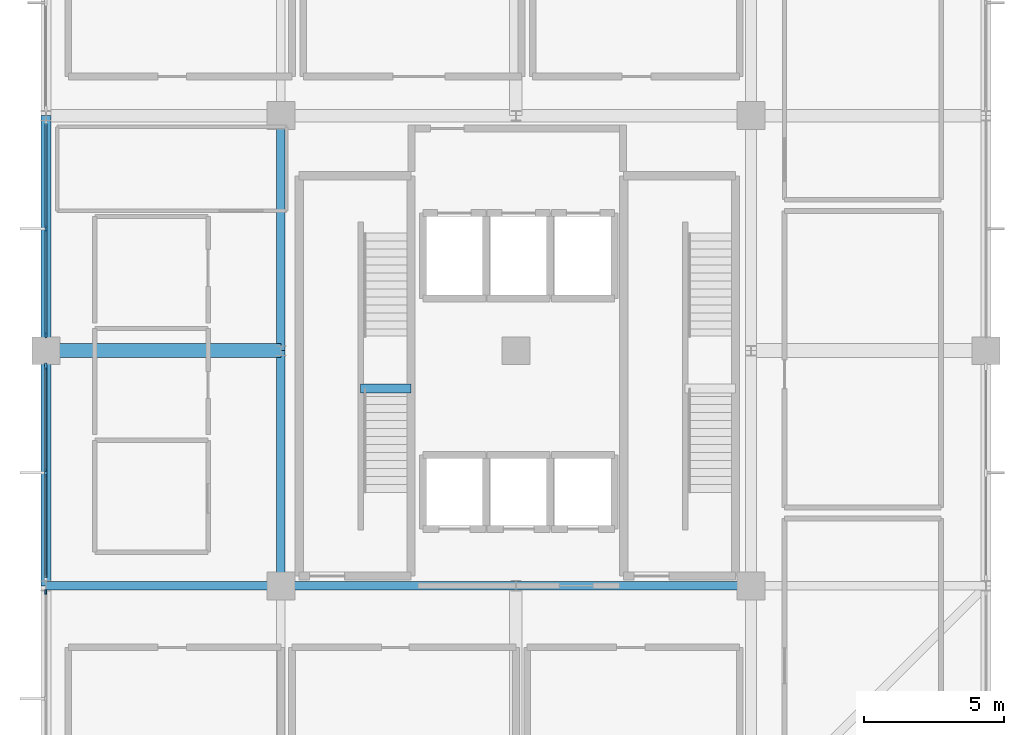
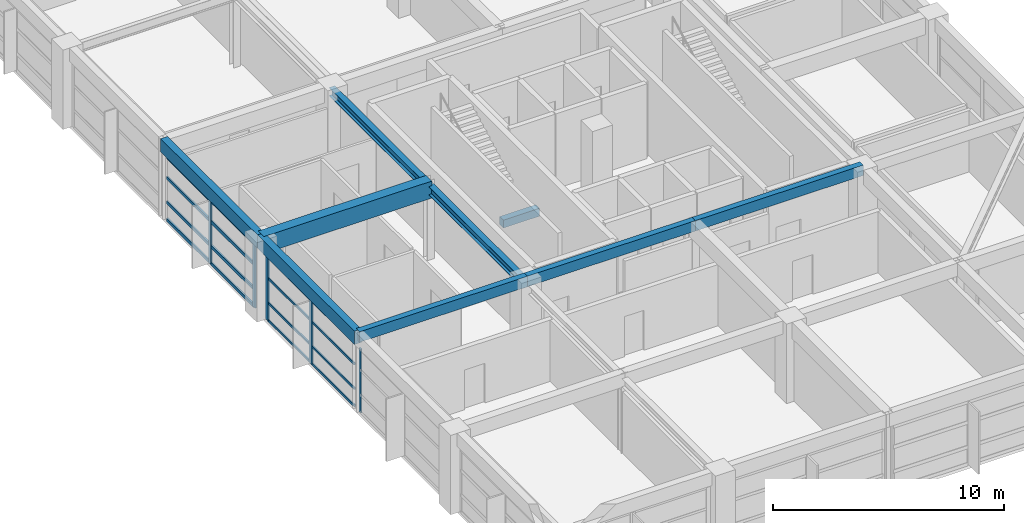
# One storey, part 5 of 15: 21 members, 9 beams, 3 elements without a shape of their own.
"""IFC4 building model written with IfcOpenShell, lengths in metres."""

from ifc_helpers import new_model, si_unit, direction, frame, origin, origin_2d, place, context, subcontext, project, spatial, rectangle, i_section, extrude, material, material_profile, profile_set, type_object, element, aggregate, save


model = new_model("IFC4")

# Units and contexts
model_context = context("Model", 3, precision=1e-05, world=origin(), true_north=direction((0.0, 1.0)))
body_context = subcontext(model_context, "Body", "Model", "MODEL_VIEW")
ifc_project = project(units=[si_unit("LENGTHUNIT", "METRE"), si_unit("AREAUNIT", "SQUARE_METRE"), si_unit("VOLUMEUNIT", "CUBIC_METRE"), si_unit("PLANEANGLEUNIT", "RADIAN"), si_unit("MASSUNIT", "GRAM", prefix="KILO")], contexts=[model_context])

# Site, building, storey
site_placement = place(None, origin())
site = spatial("IfcSite", under=ifc_project, at=site_placement, CompositionType="ELEMENT")
building_placement = place(site_placement, origin())
building = spatial("IfcBuilding", under=site, at=building_placement, Name="Xuanlan Plaza Opera House", CompositionType="ELEMENT")
storey_placement = place(building_placement, frame((0.0, 0.0, 53.10009765625)))
storey = spatial("IfcBuildingStorey", under=building, at=storey_placement, Name="L12", CompositionType="ELEMENT", Elevation=53.10009765625)

# Curtain wall, member
ifc_material_1 = material(Name="Anodised Aluminium 6063-T6 and Low-E Glass", Category="aluminium")
curtain_wall_type_1 = type_object("IfcCurtainWallType", Name="ENV-CW-CW-03", PredefinedType="USERDEFINED", material=ifc_material_1)
curtain_wall_1_placement = place(storey_placement, origin())
curtain_wall_1 = element("IfcCurtainWall", 1, at=curtain_wall_1_placement, inside=storey, type_object=curtain_wall_type_1, Name="Unitised Curtain Wall L12-017", ObjectType="UNITISED CURTAIN WALL", PredefinedType="USERDEFINED")
ifc_material_2 = material(Name="Anodised Aluminium 6063-T6", Category="aluminium")
ifc_material_profile_1 = material_profile(ifc_material_2, rectangle(XDim=0.06494140625, YDim=0.159912109375, at=origin_2d()), Name="ALU-M 65x160")
ifc_profile_set_1 = profile_set([ifc_material_profile_1], Name="Anodised Aluminium 6063-T6")
member_type_1 = type_object("IfcMemberType", Name="ENV-CWM-01", PredefinedType="MULLION", material=ifc_profile_set_1)
member_1_placement = place(storey_placement, frame((126.0, 50.172607421875, 0.0), z_axis=(0.0, 0.0, 1.0), x_axis=(1.0, 0.0, 0.0)))
member_1 = element("IfcMember", 2, at=member_1_placement, type_object=member_type_1, Name="CW-03 mullion 1", PredefinedType="MULLION", context=body_context, shape_type="SweptSolid", body=[
    extrude(rectangle(XDim=0.06494140625, YDim=0.159912109375, at=origin_2d()), origin(), (0.0, 0.0, 1.0), 3.3798828125),
])
aggregate(curtain_wall_1, [member_1])

# Curtain wall, members
curtain_wall_type_2 = type_object("IfcCurtainWallType", Name="ENV-CW-CW-01", PredefinedType="USERDEFINED", material=ifc_material_1)
curtain_wall_2_placement = place(storey_placement, origin())
curtain_wall_2 = element("IfcCurtainWall", 3, at=curtain_wall_2_placement, inside=storey, type_object=curtain_wall_type_2, Name="Unitised Curtain Wall L12-015", ObjectType="UNITISED CURTAIN WALL", PredefinedType="USERDEFINED")
ifc_material_profile_2 = material_profile(ifc_material_2, rectangle(XDim=0.080078125, YDim=0.219970703125, at=origin_2d()), Name="ALU-M 80x220")
ifc_profile_set_2 = profile_set([ifc_material_profile_2], Name="Anodised Aluminium 6063-T6")
member_type_2 = type_object("IfcMemberType", Name="ENV-CWM-04", PredefinedType="MULLION", material=ifc_profile_set_2)
member_2_placement = place(storey_placement, frame((126.0, 63.16259765625, 0.0), z_axis=(0.0, 0.0, 1.0), x_axis=(1.0, 0.0, 0.0)))
member_2 = element("IfcMember", 4, at=member_2_placement, type_object=member_type_2, Name="CW-01 mullion 2", PredefinedType="MULLION", context=body_context, shape_type="SweptSolid", body=[
    extrude(rectangle(XDim=0.080078125, YDim=0.219970703125, at=origin_2d()), origin(), (0.0, 0.0, 1.0), 3.3798828125),
])
member_3_placement = place(storey_placement, frame((126.0, 59.360107421875, 0.0), z_axis=(0.0, 0.0, 1.0), x_axis=(1.0, 0.0, 0.0)))
member_3 = element("IfcMember", 5, at=member_3_placement, type_object=member_type_2, Name="CW-01 mullion 3", PredefinedType="MULLION", context=body_context, shape_type="SweptSolid", body=[
    extrude(rectangle(XDim=0.080078125, YDim=0.219970703125, at=origin_2d()), origin(), (0.0, 0.0, 1.0), 3.3798828125),
])

curtain_wall_type_3 = type_object("IfcCurtainWallType", Name="ENV-CW-CW-02", PredefinedType="USERDEFINED", material=ifc_material_1)
curtain_wall_3_placement = place(storey_placement, origin())
curtain_wall_3 = element("IfcCurtainWall", 6, at=curtain_wall_3_placement, inside=storey, type_object=curtain_wall_type_3, Name="Unitised Curtain Wall L12-016", ObjectType="UNITISED CURTAIN WALL", PredefinedType="USERDEFINED")
ifc_material_profile_3 = material_profile(ifc_material_2, rectangle(XDim=0.090087890625, YDim=0.25, at=origin_2d()), Name="ALU-M 90x250")
ifc_profile_set_3 = profile_set([ifc_material_profile_3], Name="Anodised Aluminium 6063-T6")
member_type_3 = type_object("IfcMemberType", Name="ENV-CWM-05", PredefinedType="MULLION", material=ifc_profile_set_3)
member_4_placement = place(storey_placement, frame((126.0, 58.235107421875, 0.0), z_axis=(0.0, 0.0, 1.0), x_axis=(1.0, 0.0, 0.0)))
member_4 = element("IfcMember", 7, at=member_4_placement, type_object=member_type_3, Name="CW-02 mullion 1", PredefinedType="MULLION", context=body_context, shape_type="SweptSolid", body=[
    extrude(rectangle(XDim=0.090087890625, YDim=0.25, at=origin_2d()), origin(), (0.0, 0.0, 1.0), 3.3798828125),
])
member_5_placement = place(storey_placement, frame((126.0, 54.4375, 0.0), z_axis=(0.0, 0.0, 1.0), x_axis=(1.0, 0.0, 0.0)))
member_5 = element("IfcMember", 8, at=member_5_placement, type_object=member_type_3, Name="CW-02 mullion 2", PredefinedType="MULLION", context=body_context, shape_type="SweptSolid", body=[
    extrude(rectangle(XDim=0.090087890625, YDim=0.25, at=origin_2d()), origin(), (0.0, 0.0, 1.0), 3.3798828125),
])
ifc_material_profile_4 = material_profile(ifc_material_2, rectangle(XDim=0.06494140625, YDim=0.1201171875, at=origin_2d()), Name="ALU-T 65x120")
ifc_profile_set_4 = profile_set([ifc_material_profile_4], Name="Anodised Aluminium 6063-T6")
member_type_4 = type_object("IfcMemberType", Name="ENV-CWT-01", PredefinedType="USERDEFINED", material=ifc_profile_set_4)
member_6_placement = place(storey_placement, frame((126.0, 58.18994140625, 0.032470703125), z_axis=(0.0, -1.0, 0.0), x_axis=(1.0, 0.0, 0.0)))
member_6 = element("IfcMember", 9, at=member_6_placement, type_object=member_type_4, Name="CW-02 transom 1.1", ObjectType="TRANSOM", PredefinedType="USERDEFINED", context=body_context, shape_type="SweptSolid", body=[
    extrude(rectangle(XDim=0.06494140625, YDim=0.1201171875, at=origin_2d()), origin(), (0.0, 0.0, 1.0), 3.70751953125),
])
member_7_placement = place(storey_placement, frame((126.0, 58.18994140625, 0.949951171875), z_axis=(0.0, -1.0, 0.0), x_axis=(1.0, 0.0, 0.0)))
member_7 = element("IfcMember", 10, at=member_7_placement, type_object=member_type_4, Name="CW-02 transom 1.2", ObjectType="TRANSOM", PredefinedType="USERDEFINED", context=body_context, shape_type="SweptSolid", body=[
    extrude(rectangle(XDim=0.06494140625, YDim=0.1201171875, at=origin_2d()), origin(), (0.0, 0.0, 1.0), 3.70751953125),
])
member_8_placement = place(storey_placement, frame((126.0, 58.18994140625, 2.25), z_axis=(0.0, -1.0, 0.0), x_axis=(1.0, 0.0, 0.0)))
member_8 = element("IfcMember", 11, at=member_8_placement, type_object=member_type_4, Name="CW-02 transom 1.3", ObjectType="TRANSOM", PredefinedType="USERDEFINED", context=body_context, shape_type="SweptSolid", body=[
    extrude(rectangle(XDim=0.06494140625, YDim=0.1201171875, at=origin_2d()), origin(), (0.0, 0.0, 1.0), 3.70751953125),
])
member_9_placement = place(storey_placement, frame((126.0, 58.18994140625, 3.347412109375), z_axis=(0.0, -1.0, 0.0), x_axis=(1.0, 0.0, 0.0)))
member_9 = element("IfcMember", 12, at=member_9_placement, type_object=member_type_4, Name="CW-02 transom 1.4", ObjectType="TRANSOM", PredefinedType="USERDEFINED", context=body_context, shape_type="SweptSolid", body=[
    extrude(rectangle(XDim=0.06494140625, YDim=0.1201171875, at=origin_2d()), origin(), (0.0, 0.0, 1.0), 3.70751953125),
])
member_10_placement = place(storey_placement, frame((126.0, 54.392578125, 0.032470703125), z_axis=(0.0, -1.0, 0.0), x_axis=(1.0, 0.0, 0.0)))
member_10 = element("IfcMember", 13, at=member_10_placement, type_object=member_type_4, Name="CW-02 transom 2.1", ObjectType="TRANSOM", PredefinedType="USERDEFINED", context=body_context, shape_type="SweptSolid", body=[
    extrude(rectangle(XDim=0.06494140625, YDim=0.1201171875, at=origin_2d()), origin(), (0.0, 0.0, 1.0), 3.70751953125),
])
member_11_placement = place(storey_placement, frame((126.0, 54.392578125, 0.949951171875), z_axis=(0.0, -1.0, 0.0), x_axis=(1.0, 0.0, 0.0)))
member_11 = element("IfcMember", 14, at=member_11_placement, type_object=member_type_4, Name="CW-02 transom 2.2", ObjectType="TRANSOM", PredefinedType="USERDEFINED", context=body_context, shape_type="SweptSolid", body=[
    extrude(rectangle(XDim=0.06494140625, YDim=0.1201171875, at=origin_2d()), origin(), (0.0, 0.0, 1.0), 3.70751953125),
])
member_12_placement = place(storey_placement, frame((126.0, 54.392578125, 2.25), z_axis=(0.0, -1.0, 0.0), x_axis=(1.0, 0.0, 0.0)))
member_12 = element("IfcMember", 15, at=member_12_placement, type_object=member_type_4, Name="CW-02 transom 2.3", ObjectType="TRANSOM", PredefinedType="USERDEFINED", context=body_context, shape_type="SweptSolid", body=[
    extrude(rectangle(XDim=0.06494140625, YDim=0.1201171875, at=origin_2d()), origin(), (0.0, 0.0, 1.0), 3.70751953125),
])
member_13_placement = place(storey_placement, frame((126.0, 54.392578125, 3.347412109375), z_axis=(0.0, -1.0, 0.0), x_axis=(1.0, 0.0, 0.0)))
member_13 = element("IfcMember", 16, at=member_13_placement, type_object=member_type_4, Name="CW-02 transom 2.4", ObjectType="TRANSOM", PredefinedType="USERDEFINED", context=body_context, shape_type="SweptSolid", body=[
    extrude(rectangle(XDim=0.06494140625, YDim=0.1201171875, at=origin_2d()), origin(), (0.0, 0.0, 1.0), 3.70751953125),
])
aggregate(curtain_wall_3, [member_4, member_5, member_6, member_7, member_8, member_9, member_10, member_11, member_12, member_13])

# Member
ifc_material_profile_5 = material_profile(ifc_material_2, rectangle(XDim=0.080078125, YDim=0.1650390625, at=origin_2d()), Name="ALU-T 80x165")
ifc_profile_set_5 = profile_set([ifc_material_profile_5], Name="Anodised Aluminium 6063-T6")
member_type_5 = type_object("IfcMemberType", Name="ENV-CWT-04", PredefinedType="USERDEFINED", material=ifc_profile_set_5)
member_14_placement = place(storey_placement, frame((126.0, 66.925048828125, 0.039794921875), z_axis=(0.0, -1.0, 0.0), x_axis=(1.0, 0.0, 0.0)))
member_14 = element("IfcMember", 17, at=member_14_placement, type_object=member_type_5, Name="CW-01 transom 1.1", ObjectType="TRANSOM", PredefinedType="USERDEFINED", context=body_context, shape_type="SweptSolid", body=[
    extrude(rectangle(XDim=0.080078125, YDim=0.1650390625, at=origin_2d()), origin(), (0.0, 0.0, 1.0), 3.72265625),
])

member_15_placement = place(storey_placement, frame((126.0, 66.925048828125, 0.949951171875), z_axis=(0.0, -1.0, 0.0), x_axis=(1.0, 0.0, 0.0)))
member_15 = element("IfcMember", 18, at=member_15_placement, type_object=member_type_5, Name="CW-01 transom 1.2", ObjectType="TRANSOM", PredefinedType="USERDEFINED", context=body_context, shape_type="SweptSolid", body=[
    extrude(rectangle(XDim=0.080078125, YDim=0.1650390625, at=origin_2d()), origin(), (0.0, 0.0, 1.0), 3.72265625),
])

member_16_placement = place(storey_placement, frame((126.0, 66.925048828125, 2.25), z_axis=(0.0, -1.0, 0.0), x_axis=(1.0, 0.0, 0.0)))
member_16 = element("IfcMember", 19, at=member_16_placement, type_object=member_type_5, Name="CW-01 transom 1.3", ObjectType="TRANSOM", PredefinedType="USERDEFINED", context=body_context, shape_type="SweptSolid", body=[
    extrude(rectangle(XDim=0.080078125, YDim=0.1650390625, at=origin_2d()), origin(), (0.0, 0.0, 1.0), 3.72265625),
])

member_17_placement = place(storey_placement, frame((126.0, 66.925048828125, 3.33984375), z_axis=(0.0, -1.0, 0.0), x_axis=(1.0, 0.0, 0.0)))
member_17 = element("IfcMember", 20, at=member_17_placement, type_object=member_type_5, Name="CW-01 transom 1.4", ObjectType="TRANSOM", PredefinedType="USERDEFINED", context=body_context, shape_type="SweptSolid", body=[
    extrude(rectangle(XDim=0.080078125, YDim=0.1650390625, at=origin_2d()), origin(), (0.0, 0.0, 1.0), 3.72265625),
])

member_18_placement = place(storey_placement, frame((126.0, 63.12255859375, 0.039794921875), z_axis=(0.0, -1.0, 0.0), x_axis=(1.0, 0.0, 0.0)))
member_18 = element("IfcMember", 21, at=member_18_placement, type_object=member_type_5, Name="CW-01 transom 2.1", ObjectType="TRANSOM", PredefinedType="USERDEFINED", context=body_context, shape_type="SweptSolid", body=[
    extrude(rectangle(XDim=0.080078125, YDim=0.1650390625, at=origin_2d()), origin(), (0.0, 0.0, 1.0), 3.72265625),
])

member_19_placement = place(storey_placement, frame((126.0, 63.12255859375, 0.949951171875), z_axis=(0.0, -1.0, 0.0), x_axis=(1.0, 0.0, 0.0)))
member_19 = element("IfcMember", 22, at=member_19_placement, type_object=member_type_5, Name="CW-01 transom 2.2", ObjectType="TRANSOM", PredefinedType="USERDEFINED", context=body_context, shape_type="SweptSolid", body=[
    extrude(rectangle(XDim=0.080078125, YDim=0.1650390625, at=origin_2d()), origin(), (0.0, 0.0, 1.0), 3.72265625),
])

member_20_placement = place(storey_placement, frame((126.0, 63.12255859375, 2.25), z_axis=(0.0, -1.0, 0.0), x_axis=(1.0, 0.0, 0.0)))
member_20 = element("IfcMember", 23, at=member_20_placement, type_object=member_type_5, Name="CW-01 transom 2.3", ObjectType="TRANSOM", PredefinedType="USERDEFINED", context=body_context, shape_type="SweptSolid", body=[
    extrude(rectangle(XDim=0.080078125, YDim=0.1650390625, at=origin_2d()), origin(), (0.0, 0.0, 1.0), 3.72265625),
])

member_21_placement = place(storey_placement, frame((126.0, 63.12255859375, 3.33984375), z_axis=(0.0, -1.0, 0.0), x_axis=(1.0, 0.0, 0.0)))
member_21 = element("IfcMember", 24, at=member_21_placement, type_object=member_type_5, Name="CW-01 transom 2.4", ObjectType="TRANSOM", PredefinedType="USERDEFINED", context=body_context, shape_type="SweptSolid", body=[
    extrude(rectangle(XDim=0.080078125, YDim=0.1650390625, at=origin_2d()), origin(), (0.0, 0.0, 1.0), 3.72265625),
])

aggregate(curtain_wall_2, [member_2, member_3, member_14, member_15, member_16, member_17, member_18, member_19, member_20, member_21])

# Beams
ifc_material_3 = material(Name="Concrete C40", Category="concrete")
ifc_material_profile_6 = material_profile(ifc_material_3, rectangle(XDim=0.5, YDim=0.89990234375, at=origin_2d()), Name="RC-BM 500x900")
ifc_profile_set_6 = profile_set([ifc_material_profile_6], Name="Concrete C40")
beam_type_1 = type_object("IfcBeamType", Name="STR-BM-B-03", PredefinedType="BEAM", material=ifc_profile_set_6)
beam_1_placement = place(storey_placement, frame((126.0, 58.800048828125, 3.75), z_axis=(1.0, 0.0, 0.0), x_axis=(0.0, 1.0, 0.0)))
element("IfcBeam", 25, at=beam_1_placement, inside=storey, type_object=beam_type_1, Name="Grid Beam X L12 16-17/H", PredefinedType="BEAM", context=body_context, shape_type="SweptSolid", body=[
    extrude(rectangle(XDim=0.5, YDim=0.89990234375, at=origin_2d()), origin(), (0.0, 0.0, 1.0), 8.39990234375),
])
ifc_material_profile_7 = material_profile(ifc_material_3, rectangle(XDim=0.300048828125, YDim=0.550048828125, at=origin_2d()), Name="RC-BM 300x550")
ifc_profile_set_7 = profile_set([ifc_material_profile_7], Name="Concrete C40")
beam_type_2 = type_object("IfcBeamType", Name="STR-BM-B-09", PredefinedType="BEAM", material=ifc_profile_set_7)
beam_2_placement = place(storey_placement, frame((126.0, 50.39990234375, 3.9248046875), z_axis=(1.0, 0.0, 0.0), x_axis=(0.0, 1.0, 0.0)))
element("IfcBeam", 26, at=beam_2_placement, inside=storey, type_object=beam_type_2, Name="Grid Beam X L12 16-17/G", PredefinedType="BEAM", context=body_context, shape_type="SweptSolid", body=[
    extrude(rectangle(XDim=0.300048828125, YDim=0.550048828125, at=origin_2d()), origin(), (0.0, 0.0, 1.0), 8.39990234375),
])
beam_3_placement = place(storey_placement, frame((134.39990234375, 50.39990234375, 3.9248046875), z_axis=(1.0, 0.0, 0.0), x_axis=(0.0, 1.0, 0.0)))
element("IfcBeam", 27, at=beam_3_placement, inside=storey, type_object=beam_type_2, Name="Grid Beam X L12 17-18/G", PredefinedType="BEAM", context=body_context, shape_type="SweptSolid", body=[
    extrude(rectangle(XDim=0.300048828125, YDim=0.550048828125, at=origin_2d()), origin(), (0.0, 0.0, 1.0), 8.400146484375),
])
beam_4_placement = place(storey_placement, frame((142.800048828125, 50.39990234375, 3.9248046875), z_axis=(1.0, 0.0, 0.0), x_axis=(0.0, 1.0, 0.0)))
element("IfcBeam", 28, at=beam_4_placement, inside=storey, type_object=beam_type_2, Name="Grid Beam X L12 18-19/G", PredefinedType="BEAM", context=body_context, shape_type="SweptSolid", body=[
    extrude(rectangle(XDim=0.300048828125, YDim=0.550048828125, at=origin_2d()), origin(), (0.0, 0.0, 1.0), 8.39990234375),
])
ifc_material_profile_8 = material_profile(ifc_material_3, rectangle(XDim=0.320068359375, YDim=0.419921875, at=origin_2d()), Name="RC-LNT 320x420")
ifc_profile_set_8 = profile_set([ifc_material_profile_8], Name="Concrete C40")
beam_type_3 = type_object("IfcBeamType", Name="STR-BM-LN-04", PredefinedType="LINTEL", material=ifc_profile_set_8)
beam_5_placement = place(storey_placement, frame((137.25, 57.445068359375, 1.68994140625), z_axis=(1.0, 0.0, 0.0), x_axis=(0.0, 1.0, 0.0)))
element("IfcBeam", 29, at=beam_5_placement, inside=storey, type_object=beam_type_3, Name="Stair Mid-Landing Trimmer Beam ST-T1 L12", PredefinedType="LINTEL", context=body_context, shape_type="SweptSolid", body=[
    extrude(rectangle(XDim=0.320068359375, YDim=0.419921875, at=origin_2d()), origin(), (0.0, 0.0, 1.0), 1.800048828125),
])
ifc_material_4 = material(Name="Steel Q355B", Category="steel")
ifc_material_profile_9 = material_profile(ifc_material_4, i_section(OverallWidth=0.300048828125, OverallDepth=0.43994140625, WebThickness=0.010986328125, FlangeThickness=0.01806640625, FilletRadius=0.02001953125, at=origin_2d()), Name="HM 440x300x11x18")
ifc_profile_set_9 = profile_set([ifc_material_profile_9], Name="Steel Q355B")
beam_type_4 = type_object("IfcBeamType", Name="STR-BM-SB-08", PredefinedType="BEAM", material=ifc_profile_set_9)
beam_6_placement = place(storey_placement, frame((134.39990234375, 50.39990234375, 3.73486328125), z_axis=(0.0, 1.0, 0.0), x_axis=(-1.0, 0.0, 0.0)))
element("IfcBeam", 30, at=beam_6_placement, inside=storey, type_object=beam_type_4, Name="Grid Beam Y L12 17/G-H", PredefinedType="BEAM", context=body_context, shape_type="SweptSolid", body=[
    extrude(i_section(OverallWidth=0.300048828125, OverallDepth=0.43994140625, WebThickness=0.010986328125, FlangeThickness=0.01806640625, FilletRadius=0.02001953125, at=origin_2d()), origin(), (0.0, 0.0, 1.0), 8.400146484375),
])
beam_7_placement = place(storey_placement, frame((134.39990234375, 58.800048828125, 3.73486328125), z_axis=(0.0, 1.0, 0.0), x_axis=(-1.0, 0.0, 0.0)))
element("IfcBeam", 31, at=beam_7_placement, inside=storey, type_object=beam_type_4, Name="Grid Beam Y L12 17/H-I", PredefinedType="BEAM", context=body_context, shape_type="SweptSolid", body=[
    extrude(i_section(OverallWidth=0.300048828125, OverallDepth=0.43994140625, WebThickness=0.010986328125, FlangeThickness=0.01806640625, FilletRadius=0.02001953125, at=origin_2d()), origin(), (0.0, 0.0, 1.0), 8.39990234375),
])
ifc_material_profile_10 = material_profile(ifc_material_3, rectangle(XDim=0.35009765625, YDim=0.699951171875, at=origin_2d()), Name="RC-SPD 350x700")
ifc_profile_set_10 = profile_set([ifc_material_profile_10], Name="Concrete C40")
beam_type_5 = type_object("IfcBeamType", Name="STR-BM-SP-02", PredefinedType="SPANDREL", material=ifc_profile_set_10)
beam_8_placement = place(storey_placement, frame((126.0, 50.39990234375, 3.849853515625), z_axis=(0.0, 1.0, 0.0), x_axis=(-1.0, 0.0, 0.0)))
element("IfcBeam", 32, at=beam_8_placement, inside=storey, type_object=beam_type_5, Name="Grid Beam Y L12 16/G-H", PredefinedType="SPANDREL", context=body_context, shape_type="SweptSolid", body=[
    extrude(rectangle(XDim=0.35009765625, YDim=0.699951171875, at=origin_2d()), origin(), (0.0, 0.0, 1.0), 8.400146484375),
])
beam_9_placement = place(storey_placement, frame((126.0, 58.800048828125, 3.849853515625), z_axis=(0.0, 1.0, 0.0), x_axis=(-1.0, 0.0, 0.0)))
element("IfcBeam", 33, at=beam_9_placement, inside=storey, type_object=beam_type_5, Name="Grid Beam Y L12 16/H-I", PredefinedType="SPANDREL", context=body_context, shape_type="SweptSolid", body=[
    extrude(rectangle(XDim=0.35009765625, YDim=0.699951171875, at=origin_2d()), origin(), (0.0, 0.0, 1.0), 8.39990234375),
])

save(model, "model.ifc")
